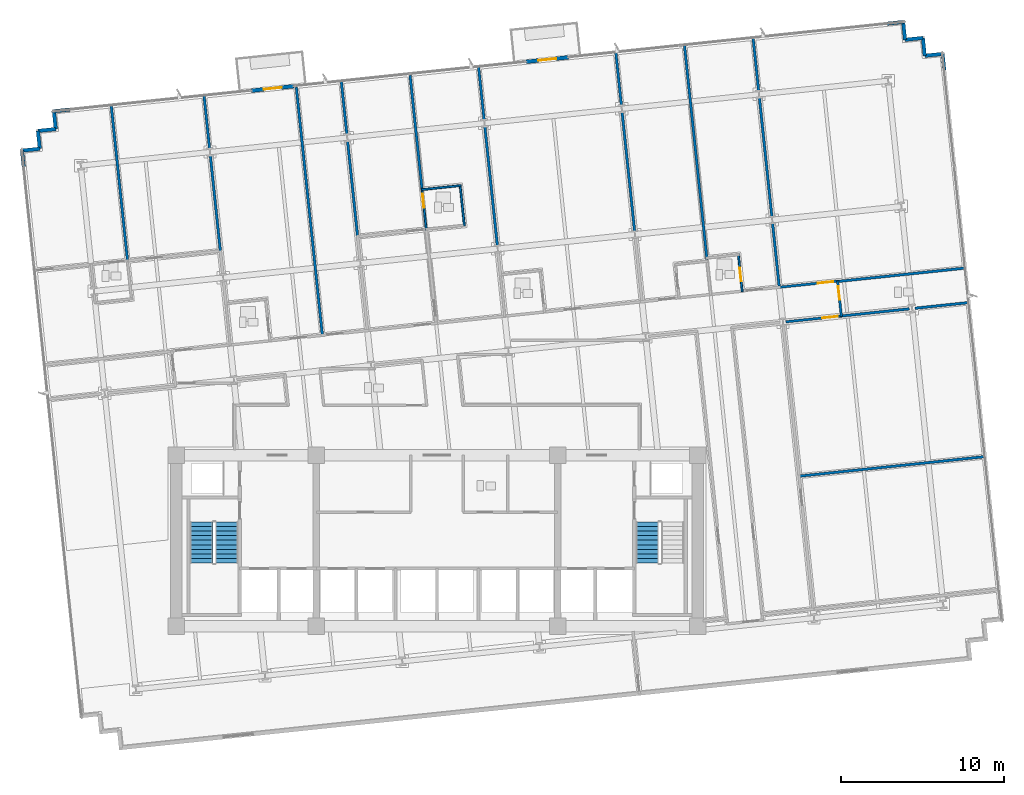
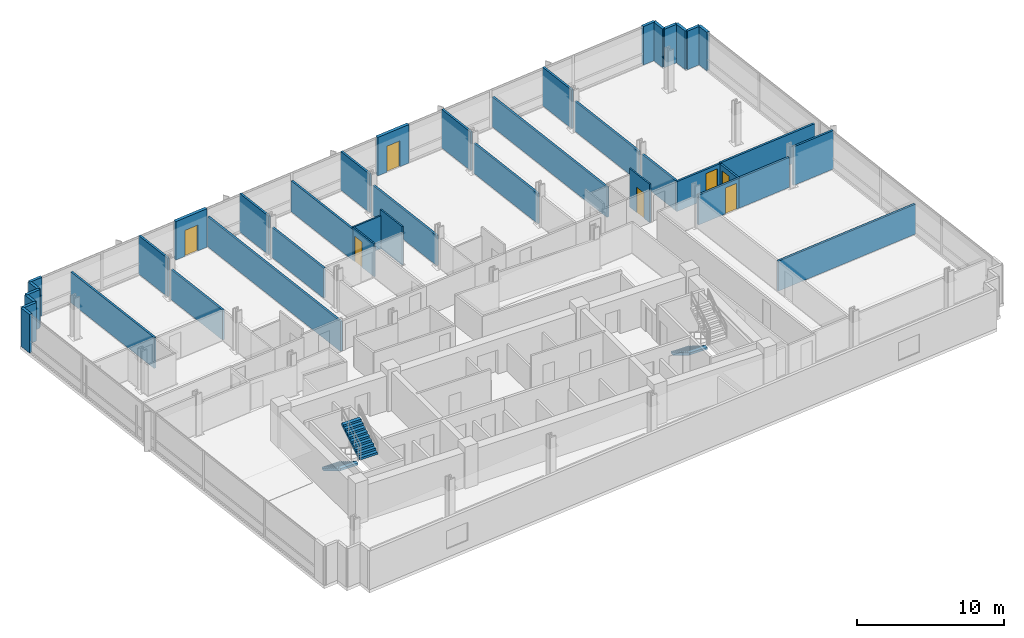
# One storey, part 13 of 19: 40 walls, 7 doors, 3 stair flights, 7 openings, 2 elements without a shape of their own.
"""IFC4 building model written with IfcOpenShell, lengths in metres."""

from ifc_helpers import new_model, si_unit, direction, frame, frame_2d, origin, place, context, subcontext, project, spatial, polyline, rectangle, outline, extrude, material, layer, layer_set, type_object, element, fill, aggregate, save


model = new_model("IFC4")

# Units and contexts
model_context = context("Model", 3, precision=1e-05, world=origin(), true_north=direction((0.0, 1.0)))
body_context = subcontext(model_context, "Body", "Model", "MODEL_VIEW")
ifc_project = project(units=[si_unit("LENGTHUNIT", "METRE"), si_unit("AREAUNIT", "SQUARE_METRE"), si_unit("VOLUMEUNIT", "CUBIC_METRE"), si_unit("PLANEANGLEUNIT", "RADIAN"), si_unit("MASSUNIT", "GRAM", prefix="KILO")], contexts=[model_context])

# Site, building, storey
site_placement = place(None, origin())
site = spatial("IfcSite", under=ifc_project, at=site_placement, CompositionType="ELEMENT")
building_placement = place(site_placement, origin())
building = spatial("IfcBuilding", under=site, at=building_placement, Name="Solmavex Isthmus Hotel", CompositionType="ELEMENT")
storey_placement = place(building_placement, frame((0.0, 0.0, 83.550048828125)))
storey = spatial("IfcBuildingStorey", under=building, at=storey_placement, Name="L22", CompositionType="ELEMENT", Elevation=83.550048828125)

# Wall, opening, door
ifc_material_1 = material(Name="Precast Concrete C40/50", Category="concrete")
ifc_layer_1 = layer(ifc_material_1, 0.25)
ifc_layer_set_1 = layer_set([ifc_layer_1], Name="Precast Concrete C40/50")
wall_type_1 = type_object("IfcWallType", Name="EW-TWR-250", PredefinedType="STANDARD", material=ifc_layer_set_1)
wall_1_placement = place(storey_placement, frame((-11.374267578125, 19.859130859375, 0.0), z_axis=(0.0, 0.0, 1.0), x_axis=(0.994524472508, 0.104503940512, 0.0)))
wall_1 = element("IfcWall", 1, at=wall_1_placement, inside=storey, type_object=wall_type_1, Name="Exterior Balcony Door Wall L22-2", PredefinedType="STANDARD", context=body_context, shape_type="SweptSolid", body=[
    extrude(rectangle(XDim=2.60009765625, YDim=0.239990234375, at=frame_2d((1.300048828125, 0.0))), origin(), (0.0, 0.0, 1.0), 3.18994140625),
])
opening_1_placement = place(wall_1_placement, frame((0.75, 0.0, 0.0)))
opening_1 = element("IfcOpeningElement", 2, at=opening_1_placement, cuts=wall_1, Name="Opening ED-02", PredefinedType="OPENING", context=body_context, shape_type="SweptSolid", body=[
    extrude(rectangle(XDim=1.10009765625, YDim=2.14990234375, at=frame_2d((0.550048828125, 1.074951171875))), frame((0.0, 0.1298828125, 0.0), z_axis=(0.0, -1.0, 0.0), x_axis=(1.0, 0.0, 0.0)), (0.0, 0.0, 1.0), 0.260009765625),
])
ifc_material_2 = material(Name="Aluminium alloy 6063-T6", Category="aluminium")
door_type_1 = type_object("IfcDoorType", Name="EDR-BALC-1100", OperationType="NOTDEFINED", PredefinedType="DOOR", material=ifc_material_2)
door_1_placement = place(opening_1_placement, origin())
door_1 = element("IfcDoor", 3, at=door_1_placement, inside=storey, type_object=door_type_1, Name="Balcony & Terrace Glazed Door L22-2", OperationType="SINGLE_SWING_RIGHT", OverallHeight=2.14990234375, OverallWidth=1.10009765625, PredefinedType="DOOR", context=body_context, shape_type="SweptSolid", body=[
    extrude(rectangle(XDim=1.10009765625, YDim=2.14990234375, at=frame_2d((0.550048828125, 1.074951171875))), frame((0.0, 0.02490234375, 0.0), z_axis=(0.0, -1.0, 0.0), x_axis=(1.0, 0.0, 0.0)), (0.0, 0.0, 1.0), 0.050048828125),
])
fill(opening_1, door_1)

wall_2_placement = place(storey_placement, frame((5.465087890625, 21.629150390625, 0.0), z_axis=(0.0, 0.0, 1.0), x_axis=(0.994523446942, 0.104513699976, 0.0)))
wall_2 = element("IfcWall", 4, at=wall_2_placement, inside=storey, type_object=wall_type_1, Name="Exterior Balcony Door Wall L22-3", PredefinedType="STANDARD", context=body_context, shape_type="SweptSolid", body=[
    extrude(rectangle(XDim=2.599853515625, YDim=0.239990234375, at=frame_2d((1.2998046875, 0.0))), origin(), (0.0, 0.0, 1.0), 3.18994140625),
])
opening_2_placement = place(wall_2_placement, frame((0.75, 0.0, 0.0)))
opening_2 = element("IfcOpeningElement", 5, at=opening_2_placement, cuts=wall_2, Name="Opening ED-02", PredefinedType="OPENING", context=body_context, shape_type="SweptSolid", body=[
    extrude(rectangle(XDim=1.10009765625, YDim=2.14990234375, at=frame_2d((0.550048828125, 1.074951171875))), frame((0.0, 0.1298828125, 0.0), z_axis=(0.0, -1.0, 0.0), x_axis=(1.0, 0.0, 0.0)), (0.0, 0.0, 1.0), 0.260009765625),
])
door_2_placement = place(opening_2_placement, origin())
door_2 = element("IfcDoor", 6, at=door_2_placement, inside=storey, type_object=door_type_1, Name="Balcony & Terrace Glazed Door L22-3", OperationType="SINGLE_SWING_LEFT", OverallHeight=2.14990234375, OverallWidth=1.10009765625, PredefinedType="DOOR", context=body_context, shape_type="SweptSolid", body=[
    extrude(rectangle(XDim=1.10009765625, YDim=2.14990234375, at=frame_2d((0.550048828125, 1.074951171875))), frame((0.0, 0.02490234375, 0.0), z_axis=(0.0, -1.0, 0.0), x_axis=(1.0, 0.0, 0.0)), (0.0, 0.0, 1.0), 0.050048828125),
])
fill(opening_2, door_2)

# Walls
wall_3_placement = place(storey_placement, frame((-25.35400390625, 15.1923828125, 0.0), z_axis=(0.0, 0.0, 1.0), x_axis=(-0.104556418955, 0.99451895671, 0.0)))
element("IfcWall", 7, at=wall_3_placement, inside=storey, type_object=wall_type_1, Name="Serrated Corner Facade Panel L22-07", PredefinedType="STANDARD", context=body_context, shape_type="SweptSolid", body=[
    extrude(rectangle(XDim=0.989990234375, YDim=0.219970703125, at=frame_2d((0.4951171875, 0.0))), origin(), (0.0, 0.0, 1.0), 3.18994140625),
])
wall_4_placement = place(storey_placement, frame((-25.45751953125, 16.177001953125, 0.0), z_axis=(0.0, 0.0, 1.0), x_axis=(0.994521251134, 0.104534592565, 0.0)))
element("IfcWall", 8, at=wall_4_placement, inside=storey, type_object=wall_type_1, Name="Serrated Corner Facade Panel L22-08", PredefinedType="STANDARD", context=body_context, shape_type="SweptSolid", body=[
    extrude(rectangle(XDim=1.10009765625, YDim=0.219970703125, at=frame_2d((0.550048828125, 0.0))), origin(), (0.0, 0.0, 1.0), 3.18994140625),
])
wall_5_placement = place(storey_placement, frame((-24.363525390625, 16.2919921875, 0.0), z_axis=(0.0, 0.0, 1.0), x_axis=(-0.104557671117, 0.994518825066, 0.0)))
element("IfcWall", 9, at=wall_5_placement, inside=storey, type_object=wall_type_1, Name="Serrated Corner Facade Panel L22-09", PredefinedType="STANDARD", context=body_context, shape_type="SweptSolid", body=[
    extrude(rectangle(XDim=1.099853515625, YDim=0.219970703125, at=frame_2d((0.5498046875, 0.0))), origin(), (0.0, 0.0, 1.0), 3.18994140625),
])
for number, where, z_axis, x_axis, name in (
    (10, (-24.478515625, 17.3857421875, 0.0), (0.0, 0.0, 1.0), (0.994521251134, 0.104534592565, 0.0), "Serrated Corner Facade Panel L22-10"),
    (11, (-23.384521484375, 17.500732421875, 0.0), (0.0, 0.0, 1.0), (-0.104534592565, 0.994521251134, 0.0), "Serrated Corner Facade Panel L22-11"),
):
    element("IfcWall", number, at=place(storey_placement, frame(where, z_axis=z_axis, x_axis=x_axis)), inside=storey, type_object=wall_type_1, Name=name, PredefinedType="STANDARD", context=body_context, shape_type="SweptSolid", body=[
        extrude(rectangle(XDim=1.10009765625, YDim=0.219970703125, at=frame_2d((0.550048828125, 0.0))), origin(), (0.0, 0.0, 1.0), 3.18994140625),
    ])
wall_6_placement = place(storey_placement, frame((-23.49951171875, 18.5947265625, 0.0), z_axis=(0.0, 0.0, 1.0), x_axis=(0.99451895671, 0.104556418955, 0.0)))
element("IfcWall", 12, at=wall_6_placement, inside=storey, type_object=wall_type_1, Name="Serrated Corner Facade Panel L22-12", PredefinedType="STANDARD", context=body_context, shape_type="SweptSolid", body=[
    extrude(rectangle(XDim=0.989990234375, YDim=0.219970703125, at=frame_2d((0.4951171875, 0.0))), origin(), (0.0, 0.0, 1.0), 3.18994140625),
])
wall_7_placement = place(storey_placement, frame((27.609130859375, 23.966552734375, 0.0), z_axis=(0.0, 0.0, 1.0), x_axis=(0.994516259927, 0.104582067016, 0.0)))
element("IfcWall", 13, at=wall_7_placement, inside=storey, type_object=wall_type_1, Name="Serrated Corner Facade Panel L22-14", PredefinedType="STANDARD", context=body_context, shape_type="SweptSolid", body=[
    extrude(rectangle(XDim=0.98974609375, YDim=0.219970703125, at=frame_2d((0.494873046875, 0.0))), origin(), (0.0, 0.0, 1.0), 3.18994140625),
])
for number, where, z_axis, x_axis, name in (
    (14, (28.593505859375, 24.070068359375, 0.0), (0.0, 0.0, 1.0), (0.104534592565, -0.994521251134, 0.0), "Serrated Corner Facade Panel L22-15"),
    (15, (28.70849609375, 22.97607421875, 0.0), (0.0, 0.0, 1.0), (0.994521251134, 0.104534592565, 0.0), "Serrated Corner Facade Panel L22-16"),
    (16, (29.802490234375, 23.091064453125, 0.0), (0.0, 0.0, 1.0), (0.104534592565, -0.994521251134, 0.0), "Serrated Corner Facade Panel L22-17"),
    (17, (29.91748046875, 21.9970703125, 0.0), (0.0, 0.0, 1.0), (0.994521251134, 0.104534592565, 0.0), "Serrated Corner Facade Panel L22-18"),
):
    element("IfcWall", number, at=place(storey_placement, frame(where, z_axis=z_axis, x_axis=x_axis)), inside=storey, type_object=wall_type_1, Name=name, PredefinedType="STANDARD", context=body_context, shape_type="SweptSolid", body=[
        extrude(rectangle(XDim=1.10009765625, YDim=0.219970703125, at=frame_2d((0.550048828125, 0.0))), origin(), (0.0, 0.0, 1.0), 3.18994140625),
    ])
wall_8_placement = place(storey_placement, frame((31.011474609375, 22.112060546875, 0.0), z_axis=(0.0, 0.0, 1.0), x_axis=(0.104556418955, -0.99451895671, 0.0)))
element("IfcWall", 18, at=wall_8_placement, inside=storey, type_object=wall_type_1, Name="Serrated Corner Facade Panel L22-19", PredefinedType="STANDARD", context=body_context, shape_type="SweptSolid", body=[
    extrude(rectangle(XDim=0.989990234375, YDim=0.219970703125, at=frame_2d((0.4951171875, 0.0))), origin(), (0.0, 0.0, 1.0), 3.18994140625),
])
ifc_material_3 = material(Name="Gypsum plasterboard lining", Category="gypsum")
ifc_layer_2 = layer(ifc_material_3, 0.159912109375)
ifc_layer_set_2 = layer_set([ifc_layer_2], Name="Gypsum plasterboard lining")
wall_type_2 = type_object("IfcWallType", Name="IW-COMP-160", PredefinedType="PARTITIONING", material=ifc_layer_set_2)
wall_9_placement = place(storey_placement, frame((-19.988037109375, 18.994140625, 0.0), z_axis=(0.0, 0.0, 1.0), x_axis=(0.104533521725, -0.99452136369, 0.0)))
element("IfcWall", 19, at=wall_9_placement, inside=storey, type_object=wall_type_2, Name="Interior Partition Wall W-L22-P047", PredefinedType="PARTITIONING", context=body_context, shape_type="SweptSolid", body=[
    extrude(rectangle(XDim=9.662109375, YDim=0.159912109375, at=frame_2d((4.8310546875, 0.0))), origin(), (0.0, 0.0, 1.0), 2.55322265625),
])
wall_10_placement = place(storey_placement, frame((-14.29541015625, 19.59228515625, 0.0), z_axis=(0.0, 0.0, 1.0), x_axis=(0.10455555946, -0.99451904707, 0.0)))
element("IfcWall", 20, at=wall_10_placement, inside=storey, type_object=wall_type_2, Name="Interior Partition Wall W-L22-P049", PredefinedType="PARTITIONING", context=body_context, shape_type="SweptSolid", body=[
    extrude(rectangle(XDim=3.34375, YDim=0.159912109375, at=frame_2d((1.671875, 0.0))), origin(), (0.0, 0.0, 1.0), 3.18994140625),
])
wall_11_placement = place(storey_placement, frame((-13.908935546875, 15.91650390625, 0.0), z_axis=(0.0, 0.0, 1.0), x_axis=(0.10451862243, -0.994522929633, 0.0)))
element("IfcWall", 21, at=wall_11_placement, inside=storey, type_object=wall_type_2, Name="Interior Partition Wall W-L22-P050", PredefinedType="PARTITIONING", context=body_context, shape_type="SweptSolid", body=[
    extrude(rectangle(XDim=5.9658203125, YDim=0.159912109375, at=frame_2d((2.98291015625, 0.0))), origin(), (0.0, 0.0, 1.0), 2.4794921875),
])
wall_12_placement = place(storey_placement, frame((-8.630859375, 20.067138671875, 0.0), z_axis=(0.0, 0.0, 1.0), x_axis=(0.10453068975, -0.994521661353, 0.0)))
element("IfcWall", 22, at=wall_12_placement, inside=storey, type_object=wall_type_2, Name="Interior Partition Wall W-L22-P053", PredefinedType="PARTITIONING", context=body_context, shape_type="SweptSolid", body=[
    extrude(rectangle(XDim=15.340087890625, YDim=0.159912109375, at=frame_2d((7.669921875, 0.0))), origin(), (0.0, 0.0, 1.0), 2.4794921875),
])
wall_13_placement = place(storey_placement, frame((-5.875732421875, 20.477294921875, 0.0), z_axis=(0.0, 0.0, 1.0), x_axis=(0.10455555946, -0.99451904707, 0.0)))
element("IfcWall", 23, at=wall_13_placement, inside=storey, type_object=wall_type_2, Name="Interior Partition Wall W-L22-P056", PredefinedType="PARTITIONING", context=body_context, shape_type="SweptSolid", body=[
    extrude(rectangle(XDim=3.34375, YDim=0.159912109375, at=frame_2d((1.671875, 0.0))), origin(), (0.0, 0.0, 1.0), 3.18994140625),
])
wall_14_placement = place(storey_placement, frame((-5.4892578125, 16.80126953125, 0.0), z_axis=(0.0, 0.0, 1.0), x_axis=(0.104519783483, -0.994522807612, 0.0)))
element("IfcWall", 24, at=wall_14_placement, inside=storey, type_object=wall_type_2, Name="Interior Partition Wall W-L22-P057", PredefinedType="PARTITIONING", context=body_context, shape_type="SweptSolid", body=[
    extrude(rectangle(XDim=6.0078125, YDim=0.159912109375, at=frame_2d((3.00390625, 0.0))), origin(), (0.0, 0.0, 1.0), 2.4794921875),
])
wall_15_placement = place(storey_placement, frame((-1.6533203125, 20.800537109375, 0.0), z_axis=(0.0, 0.0, 1.0), x_axis=(0.104513767091, -0.994523439889, 0.0)))
element("IfcWall", 25, at=wall_15_placement, inside=storey, type_object=wall_type_2, Name="Interior Partition Wall W-L22-P060", PredefinedType="PARTITIONING", context=body_context, shape_type="SweptSolid", body=[
    extrude(rectangle(XDim=7.134033203125, YDim=0.159912109375, at=frame_2d((3.56689453125, 0.0))), origin(), (0.0, 0.0, 1.0), 2.55322265625),
])
wall_16_placement = place(storey_placement, frame((2.5439453125, 21.3623046875, 0.0), z_axis=(0.0, 0.0, 1.0), x_axis=(0.10455555946, -0.99451904707, 0.0)))
element("IfcWall", 26, at=wall_16_placement, inside=storey, type_object=wall_type_2, Name="Interior Partition Wall W-L22-P065", PredefinedType="PARTITIONING", context=body_context, shape_type="SweptSolid", body=[
    extrude(rectangle(XDim=3.34375, YDim=0.159912109375, at=frame_2d((1.671875, 0.0))), origin(), (0.0, 0.0, 1.0), 3.18994140625),
])
wall_17_placement = place(storey_placement, frame((2.93017578125, 17.686279296875, 0.0), z_axis=(0.0, 0.0, 1.0), x_axis=(0.104555973927, -0.994519003497, 0.0)))
element("IfcWall", 27, at=wall_17_placement, inside=storey, type_object=wall_type_2, Name="Interior Partition Wall W-L22-P066", PredefinedType="PARTITIONING", context=body_context, shape_type="SweptSolid", body=[
    extrude(rectangle(XDim=7.399658203125, YDim=0.159912109375, at=frame_2d((3.69970703125, 0.0))), origin(), (0.0, 0.0, 1.0), 2.4794921875),
])
wall_18_placement = place(storey_placement, frame((10.963623046875, 22.2470703125, 0.0), z_axis=(0.0, 0.0, 1.0), x_axis=(0.10448334315, -0.994526636649, 0.0)))
element("IfcWall", 28, at=wall_18_placement, inside=storey, type_object=wall_type_2, Name="Interior Partition Wall W-L22-P071", PredefinedType="PARTITIONING", context=body_context, shape_type="SweptSolid", body=[
    extrude(rectangle(XDim=3.34375, YDim=0.159912109375, at=frame_2d((1.671875, 0.0))), origin(), (0.0, 0.0, 1.0), 3.18994140625),
])
wall_19_placement = place(storey_placement, frame((11.349853515625, 18.5712890625, 0.0), z_axis=(0.0, 0.0, 1.0), x_axis=(0.104523341075, -0.994522433719, 0.0)))
element("IfcWall", 29, at=wall_19_placement, inside=storey, type_object=wall_type_2, Name="Interior Partition Wall W-L22-P072", PredefinedType="PARTITIONING", context=body_context, shape_type="SweptSolid", body=[
    extrude(rectangle(XDim=7.399658203125, YDim=0.159912109375, at=frame_2d((3.69970703125, 0.0))), origin(), (0.0, 0.0, 1.0), 2.4794921875),
])
wall_20_placement = place(storey_placement, frame((15.17333984375, 22.689697265625, 0.0), z_axis=(0.0, 0.0, 1.0), x_axis=(0.104531343509, -0.994521592639, 0.0)))
element("IfcWall", 30, at=wall_20_placement, inside=storey, type_object=wall_type_2, Name="Interior Partition Wall W-L22-P076", PredefinedType="PARTITIONING", context=body_context, shape_type="SweptSolid", body=[
    extrude(rectangle(XDim=13.251953125, YDim=0.159912109375, at=frame_2d((6.6259765625, 0.0))), origin(), (0.0, 0.0, 1.0), 2.4794921875),
])
wall_21_placement = place(storey_placement, frame((19.383056640625, 23.132080078125, 0.0), z_axis=(0.0, 0.0, 1.0), x_axis=(0.10455555946, -0.99451904707, 0.0)))
element("IfcWall", 31, at=wall_21_placement, inside=storey, type_object=wall_type_2, Name="Interior Partition Wall W-L22-P080", PredefinedType="PARTITIONING", context=body_context, shape_type="SweptSolid", body=[
    extrude(rectangle(XDim=3.34375, YDim=0.159912109375, at=frame_2d((1.671875, 0.0))), origin(), (0.0, 0.0, 1.0), 3.18994140625),
])
wall_22_placement = place(storey_placement, frame((19.76953125, 19.456298828125, 0.0), z_axis=(0.0, 0.0, 1.0), x_axis=(0.104523341075, -0.994522433719, 0.0)))
element("IfcWall", 32, at=wall_22_placement, inside=storey, type_object=wall_type_2, Name="Interior Partition Wall W-L22-P081", PredefinedType="PARTITIONING", context=body_context, shape_type="SweptSolid", body=[
    extrude(rectangle(XDim=7.399658203125, YDim=0.159912109375, at=frame_2d((3.69970703125, 0.0))), origin(), (0.0, 0.0, 1.0), 2.4794921875),
])
wall_23_placement = place(storey_placement, frame((20.579833984375, 11.74658203125, 0.0), z_axis=(0.0, 0.0, 1.0), x_axis=(0.104551732594, -0.994519449388, 0.0)))
element("IfcWall", 33, at=wall_23_placement, inside=storey, type_object=wall_type_2, Name="Interior Partition Wall W-L22-P082", PredefinedType="PARTITIONING", context=body_context, shape_type="SweptSolid", body=[
    extrude(rectangle(XDim=4.01171875, YDim=0.159912109375, at=frame_2d((2.005859375, 0.0))), origin(), (0.0, 0.0, 1.0), 2.4794921875),
])
wall_24_placement = place(storey_placement, frame((32.422119140625, 8.9775390625, 0.0), z_axis=(0.0, 0.0, 1.0), x_axis=(-0.994522987852, -0.104518068455, 0.0)))
element("IfcWall", 34, at=wall_24_placement, inside=storey, type_object=wall_type_2, Name="Interior Partition Wall W-L22-P083", PredefinedType="PARTITIONING", context=body_context, shape_type="SweptSolid", body=[
    extrude(rectangle(XDim=7.927978515625, YDim=0.159912109375, at=frame_2d((3.9638671875, 0.0))), origin(), (0.0, 0.0, 1.0), 2.55322265625),
])
wall_25_placement = place(storey_placement, frame((28.96875, 6.472900390625, 0.0), z_axis=(0.0, 0.0, 1.0), x_axis=(-0.994520616656, -0.104540628691, 0.0)))
element("IfcWall", 35, at=wall_25_placement, inside=storey, type_object=wall_type_2, Name="Interior Partition Wall W-L22-P084", PredefinedType="PARTITIONING", context=body_context, shape_type="SweptSolid", body=[
    extrude(rectangle(XDim=4.231689453125, YDim=0.159912109375, at=frame_2d((2.11572265625, 0.0))), origin(), (0.0, 0.0, 1.0), 2.4794921875),
])
wall_26_placement = place(storey_placement, frame((32.644775390625, 6.859130859375, 0.0), z_axis=(0.0, 0.0, 1.0), x_axis=(-0.994526636649, -0.10448334315, 0.0)))
element("IfcWall", 36, at=wall_26_placement, inside=storey, type_object=wall_type_2, Name="Interior Partition Wall W-L22-P085", PredefinedType="PARTITIONING", context=body_context, shape_type="SweptSolid", body=[
    extrude(rectangle(XDim=3.34375, YDim=0.159912109375, at=frame_2d((1.671875, 0.0))), origin(), (0.0, 0.0, 1.0), 3.18994140625),
])
wall_27_placement = place(storey_placement, frame((22.173095703125, -3.793701171875, 0.0), z_axis=(0.0, 0.0, 1.0), x_axis=(0.994523425118, 0.104513907644, 0.0)))
element("IfcWall", 37, at=wall_27_placement, inside=storey, type_object=wall_type_2, Name="Interior Partition Wall W-L22-P094", PredefinedType="PARTITIONING", context=body_context, shape_type="SweptSolid", body=[
    extrude(rectangle(XDim=11.528076171875, YDim=0.159912109375, at=frame_2d((5.76416015625, 0.0))), origin(), (0.0, 0.0, 1.0), 2.4794921875),
])

# Wall, opening, door
ifc_layer_3 = layer(ifc_material_3, 0.14990234375)
ifc_layer_set_3 = layer_set([ifc_layer_3], Name="Gypsum plasterboard lining")
wall_type_3 = type_object("IfcWallType", Name="IW-CORR-150", PredefinedType="PARTITIONING", material=ifc_layer_set_3)
wall_28_placement = place(storey_placement, frame((20.913330078125, 7.7880859375, 0.0), z_axis=(0.0, 0.0, 1.0), x_axis=(0.994525920558, 0.104490159046, 0.0)))
wall_28 = element("IfcWall", 38, at=wall_28_placement, inside=storey, type_object=wall_type_3, Name="Interior Partition Wall W-L22-P013", PredefinedType="PARTITIONING", context=body_context, shape_type="SweptSolid", body=[
    extrude(rectangle(XDim=3.721923828125, YDim=0.14990234375, at=frame_2d((1.86083984375, 0.0))), origin(), (0.0, 0.0, 1.0), 2.4794921875),
])
opening_3_placement = place(wall_28_placement, frame((2.456787109375, 0.0, 0.0)))
opening_3 = element("IfcOpeningElement", 39, at=opening_3_placement, cuts=wall_28, Name="Opening ID-C095", PredefinedType="OPENING", context=body_context, shape_type="SweptSolid", body=[
    extrude(rectangle(XDim=0.949951171875, YDim=2.14990234375, at=frame_2d((0.47509765625, 1.074951171875))), frame((0.0, 0.0849609375, 0.0), z_axis=(0.0, -1.0, 0.0), x_axis=(1.0, 0.0, 0.0)), (0.0, 0.0, 1.0), 0.169921875),
])
ifc_material_4 = material(Name="Hardwood timber", Category="wood")
door_type_2 = type_object("IfcDoorType", Name="IDR-FD60-0950", OperationType="NOTDEFINED", PredefinedType="DOOR", material=ifc_material_4)
door_3_placement = place(opening_3_placement, origin())
door_3 = element("IfcDoor", 40, at=door_3_placement, inside=storey, type_object=door_type_2, Name="Corporate Briefing Office Door L22-18", OperationType="SINGLE_SWING_RIGHT", OverallHeight=2.14990234375, OverallWidth=0.949951171875, PredefinedType="DOOR", context=body_context, shape_type="SweptSolid", body=[
    extrude(rectangle(XDim=0.949951171875, YDim=2.14990234375, at=frame_2d((0.47509765625, 1.074951171875))), frame((0.0, 0.02490234375, 0.0), z_axis=(0.0, -1.0, 0.0), x_axis=(1.0, 0.0, 0.0)), (0.0, 0.0, 1.0), 0.050048828125),
])
fill(opening_3, door_3)

wall_29_placement = place(storey_placement, frame((24.5732421875, 8.19287109375, 0.0), z_axis=(0.0, 0.0, 1.0), x_axis=(0.104500773718, -0.994524805267, 0.0)))
wall_29 = element("IfcWall", 41, at=wall_29_placement, inside=storey, type_object=wall_type_3, Name="Interior Partition Wall W-L22-P019", PredefinedType="PARTITIONING", context=body_context, shape_type="SweptSolid", body=[
    extrude(rectangle(XDim=2.210205078125, YDim=0.14990234375, at=frame_2d((1.10498046875, 0.0))), origin(), (0.0, 0.0, 1.0), 2.4794921875),
])
opening_4_placement = place(wall_29_placement, frame((0.322265625, 0.0, 0.0)))
opening_4 = element("IfcOpeningElement", 42, at=opening_4_placement, cuts=wall_29, Name="Opening ID-R085", PredefinedType="OPENING", context=body_context, shape_type="SweptSolid", body=[
    extrude(rectangle(XDim=0.85009765625, YDim=2.050048828125, at=frame_2d((0.425048828125, 1.02490234375))), frame((0.0, 0.0849609375, 0.0), z_axis=(0.0, -1.0, 0.0), x_axis=(1.0, 0.0, 0.0)), (0.0, 0.0, 1.0), 0.169921875),
])
ifc_material_5 = material(Name="Steel ASTM A500 Grade C", Category="steel")
door_type_3 = type_object("IfcDoorType", Name="IDR-FD60-0850", OperationType="NOTDEFINED", PredefinedType="DOOR", material=ifc_material_5)
door_4_placement = place(opening_4_placement, origin())
door_4 = element("IfcDoor", 43, at=door_4_placement, inside=storey, type_object=door_type_3, Name="Public Restroom WC Door L22-20", OperationType="SINGLE_SWING_RIGHT", OverallHeight=2.050048828125, OverallWidth=0.85009765625, PredefinedType="DOOR", context=body_context, shape_type="SweptSolid", body=[
    extrude(rectangle(XDim=0.85009765625, YDim=2.050048828125, at=frame_2d((0.425048828125, 1.02490234375))), frame((0.0, 0.02490234375, 0.0), z_axis=(0.0, -1.0, 0.0), x_axis=(1.0, 0.0, 0.0)), (0.0, 0.0, 1.0), 0.050048828125),
])
fill(opening_4, door_4)

wall_30_placement = place(storey_placement, frame((24.83984375, 6.038818359375, 0.0), z_axis=(0.0, 0.0, 1.0), x_axis=(-0.994522047476, -0.104527016046, 0.0)))
wall_30 = element("IfcWall", 44, at=wall_30_placement, inside=storey, type_object=wall_type_3, Name="Interior Partition Wall W-L22-P036", PredefinedType="PARTITIONING", context=body_context, shape_type="SweptSolid", body=[
    extrude(rectangle(XDim=3.4638671875, YDim=0.14990234375, at=frame_2d((1.73193359375, 0.0))), origin(), (0.0, 0.0, 1.0), 2.4794921875),
])
opening_5_placement = place(wall_30_placement, frame((0.26220703125, 0.0, 0.0)))
opening_5 = element("IfcOpeningElement", 45, at=opening_5_placement, cuts=wall_30, Name="Opening ID-C095", PredefinedType="OPENING", context=body_context, shape_type="SweptSolid", body=[
    extrude(rectangle(XDim=0.949951171875, YDim=2.14990234375, at=frame_2d((0.47509765625, 1.074951171875))), frame((0.0, 0.0849609375, 0.0), z_axis=(0.0, -1.0, 0.0), x_axis=(1.0, 0.0, 0.0)), (0.0, 0.0, 1.0), 0.169921875),
])
door_5_placement = place(opening_5_placement, frame((0.949951171875, 0.0, 0.0), z_axis=(0.0, 0.0, 1.0), x_axis=(-1.0, 0.0, 0.0)))
door_5 = element("IfcDoor", 46, at=door_5_placement, inside=storey, type_object=door_type_2, Name="Reading Library Door L22-27", OperationType="SINGLE_SWING_LEFT", OverallHeight=2.14990234375, OverallWidth=0.949951171875, PredefinedType="DOOR", context=body_context, shape_type="SweptSolid", body=[
    extrude(rectangle(XDim=0.949951171875, YDim=2.14990234375, at=frame_2d((0.47509765625, 1.074951171875))), frame((0.0, 0.02490234375, 0.0), z_axis=(0.0, -1.0, 0.0), x_axis=(1.0, 0.0, 0.0)), (0.0, 0.0, 1.0), 0.050048828125),
])
fill(opening_5, door_5)

ifc_layer_4 = layer(ifc_material_3, 0.1201171875)
ifc_layer_set_4 = layer_set([ifc_layer_4], Name="Gypsum plasterboard lining")
wall_type_4 = type_object("IfcWallType", Name="IW-PART-120", PredefinedType="PARTITIONING", material=ifc_layer_set_4)
wall_31_placement = place(storey_placement, frame((-0.9248046875, 13.86865234375, 0.0), z_axis=(0.0, 0.0, 1.0), x_axis=(0.104511838358, -0.994523642576, 0.0)))
wall_31 = element("IfcWall", 47, at=wall_31_placement, inside=storey, type_object=wall_type_4, Name="Interior Partition Wall W-L22-P061", PredefinedType="PARTITIONING", context=body_context, shape_type="SweptSolid", body=[
    extrude(rectangle(XDim=2.572021484375, YDim=0.1201171875, at=frame_2d((1.2861328125, 0.0))), origin(), (0.0, 0.0, 1.0), 2.718017578125),
])
opening_6_placement = place(wall_31_placement, frame((0.337646484375, 0.0, 0.0)))
opening_6 = element("IfcOpeningElement", 48, at=opening_6_placement, cuts=wall_31, Name="Opening ID-U085", PredefinedType="OPENING", context=body_context, shape_type="SweptSolid", body=[
    extrude(rectangle(XDim=0.85009765625, YDim=2.10009765625, at=frame_2d((0.425048828125, 1.050048828125))), frame((0.0, 0.070068359375, 0.0), z_axis=(0.0, -1.0, 0.0), x_axis=(1.0, 0.0, 0.0)), (0.0, 0.0, 1.0), 0.14013671875),
])
door_type_4 = type_object("IfcDoorType", Name="IDR-UNR-0850", OperationType="NOTDEFINED", PredefinedType="DOOR", material=ifc_material_4)
door_6_placement = place(opening_6_placement, origin())
door_6 = element("IfcDoor", 49, at=door_6_placement, inside=storey, type_object=door_type_4, Name="En-suite Bathroom Door L22-11", OperationType="SINGLE_SWING_LEFT", OverallHeight=2.10009765625, OverallWidth=0.85009765625, PredefinedType="DOOR", context=body_context, shape_type="SweptSolid", body=[
    extrude(rectangle(XDim=0.85009765625, YDim=2.10009765625, at=frame_2d((0.425048828125, 1.050048828125))), frame((0.0, 0.02490234375, 0.0), z_axis=(0.0, -1.0, 0.0), x_axis=(1.0, 0.0, 0.0)), (0.0, 0.0, 1.0), 0.050048828125),
])
fill(opening_6, door_6)

# Walls
wall_32_placement = place(storey_placement, frame((1.68115234375, 11.556396484375, 0.0), z_axis=(0.0, 0.0, 1.0), x_axis=(-0.104508968707, 0.994523944136, 0.0)))
element("IfcWall", 50, at=wall_32_placement, inside=storey, type_object=wall_type_4, Name="Interior Partition Wall W-L22-P063", PredefinedType="PARTITIONING", context=body_context, shape_type="SweptSolid", body=[
    extrude(rectangle(XDim=2.530029296875, YDim=0.1201171875, at=frame_2d((1.26513671875, 0.0))), origin(), (0.0, 0.0, 1.0), 3.18994140625),
])
wall_33_placement = place(storey_placement, frame((1.460693359375, 14.036865234375, 0.0), z_axis=(0.0, 0.0, 1.0), x_axis=(-0.994526352295, -0.104486049741, 0.0)))
element("IfcWall", 51, at=wall_33_placement, inside=storey, type_object=wall_type_4, Name="Interior Partition Wall W-L22-P064", PredefinedType="PARTITIONING", context=body_context, shape_type="SweptSolid", body=[
    extrude(rectangle(XDim=2.429931640625, YDim=0.1201171875, at=frame_2d((1.21484375, 0.0))), origin(), (0.0, 0.0, 1.0), 2.718017578125),
])

# Wall, opening, door
wall_34_placement = place(storey_placement, frame((18.725830078125, 7.517822265625, 0.0), z_axis=(0.0, 0.0, 1.0), x_axis=(-0.104461165138, 0.994528966385, 0.0)))
wall_34 = element("IfcWall", 52, at=wall_34_placement, inside=storey, type_object=wall_type_4, Name="Interior Partition Wall W-L22-P078", PredefinedType="PARTITIONING", context=body_context, shape_type="SweptSolid", body=[
    extrude(rectangle(XDim=2.330078125, YDim=0.1201171875, at=frame_2d((1.1650390625, 0.0))), origin(), (0.0, 0.0, 1.0), 3.18994140625),
])
opening_7_placement = place(wall_34_placement, frame((0.6455078125, 0.0, 0.0)))
opening_7 = element("IfcOpeningElement", 53, at=opening_7_placement, cuts=wall_34, Name="Opening ID-U085", PredefinedType="OPENING", context=body_context, shape_type="SweptSolid", body=[
    extrude(rectangle(XDim=0.85009765625, YDim=2.10009765625, at=frame_2d((0.425048828125, 1.050048828125))), frame((0.0, 0.070068359375, 0.0), z_axis=(0.0, -1.0, 0.0), x_axis=(1.0, 0.0, 0.0)), (0.0, 0.0, 1.0), 0.14013671875),
])
door_7_placement = place(opening_7_placement, origin())
door_7 = element("IfcDoor", 54, at=door_7_placement, inside=storey, type_object=door_type_4, Name="En-suite Bathroom Door L22-17", OperationType="SINGLE_SWING_LEFT", OverallHeight=2.10009765625, OverallWidth=0.85009765625, PredefinedType="DOOR", context=body_context, shape_type="SweptSolid", body=[
    extrude(rectangle(XDim=0.85009765625, YDim=2.10009765625, at=frame_2d((0.425048828125, 1.050048828125))), frame((0.0, 0.02490234375, 0.0), z_axis=(0.0, -1.0, 0.0), x_axis=(1.0, 0.0, 0.0)), (0.0, 0.0, 1.0), 0.050048828125),
])
fill(opening_7, door_7)

# Stair, stair flights
ifc_material_6 = material(Name="Concrete C40/50", Category="concrete")
stair_type_1 = type_object("IfcStairType", Name="STR-ST-1", PredefinedType="HALF_TURN_STAIR", material=ifc_material_6)
stair_1_placement = place(storey_placement, origin())
stair_1 = element("IfcStair", 55, at=stair_1_placement, inside=storey, type_object=stair_type_1, Name="L22 Protected Exit Stair ST-1", PredefinedType="HALF_TURN_STAIR")
stair_flight_type_1 = type_object("IfcStairFlightType", Name="SFL-ST-1", PredefinedType="STRAIGHT", material=ifc_material_6)
stair_flight_1_placement = place(storey_placement, frame((-14.449951171875, -6.60009765625, 0.0), z_axis=(0.0, 0.0, 1.0), x_axis=(0.0, -1.0, 0.0)))
stair_flight_1 = element("IfcStairFlight", 56, at=stair_flight_1_placement, type_object=stair_flight_type_1, Name="ST-1 flight 1", NumberOfRisers=10, NumberOfTreads=9, PredefinedType="STRAIGHT", RiserHeight=0.1725, TreadLength=0.28, context=body_context, shape_type="SweptSolid", body=[
    extrude(outline(polyline([(0.0, 0.0), (0.0, 0.172607421875), (0.280029296875, 0.172607421875), (0.280029296875, 0.344970703125), (0.56005859375, 0.344970703125), (0.56005859375, 0.517578125), (0.840087890625, 0.517578125), (0.840087890625, 0.68994140625), (1.1201171875, 0.68994140625), (1.1201171875, 0.862548828125), (1.39990234375, 0.862548828125), (1.39990234375, 1.034912109375), (1.679931640625, 1.034912109375), (1.679931640625, 1.20751953125), (1.9599609375, 1.20751953125), (1.9599609375, 1.3798828125), (2.239990234375, 1.3798828125), (2.239990234375, 1.552490234375), (2.52001953125, 1.552490234375), (2.52001953125, 1.72509765625), (2.52001953125, 1.37646484375), (0.285888671875, 0.0), (0.0, 0.0)])), frame((0.0, 0.699951171875, 0.0), z_axis=(0.0, -1.0, 0.0), x_axis=(1.0, 0.0, 0.0)), (0.0, 0.0, 1.0), 1.39990234375),
])
stair_flight_2_placement = place(storey_placement, frame((-12.89990234375, -9.1201171875, 1.724853515625), z_axis=(0.0, 0.0, 1.0), x_axis=(0.0, 1.0, 0.0)))
stair_flight_2 = element("IfcStairFlight", 57, at=stair_flight_2_placement, type_object=stair_flight_type_1, Name="ST-1 flight 2", NumberOfRisers=10, NumberOfTreads=9, PredefinedType="STRAIGHT", RiserHeight=0.1725, TreadLength=0.28, context=body_context, shape_type="SweptSolid", body=[
    extrude(outline(polyline([(0.0, 0.0), (0.0, 0.172607421875), (0.280029296875, 0.172607421875), (0.280029296875, 0.344970703125), (0.56005859375, 0.344970703125), (0.56005859375, 0.517578125), (0.840087890625, 0.517578125), (0.840087890625, 0.68994140625), (1.1201171875, 0.68994140625), (1.1201171875, 0.862548828125), (1.39990234375, 0.862548828125), (1.39990234375, 1.034912109375), (1.679931640625, 1.034912109375), (1.679931640625, 1.20751953125), (1.9599609375, 1.20751953125), (1.9599609375, 1.3798828125), (2.239990234375, 1.3798828125), (2.239990234375, 1.552490234375), (2.52001953125, 1.552490234375), (2.52001953125, 1.72509765625), (2.52001953125, 1.37646484375), (0.285888671875, 0.0), (0.0, 0.0)])), frame((0.0, 0.699951171875, 0.0), z_axis=(0.0, -1.0, 0.0), x_axis=(1.0, 0.0, 0.0)), (0.0, 0.0, 1.0), 1.39990234375),
])
aggregate(stair_1, [stair_flight_1, stair_flight_2])

# Stair, stair flight
stair_type_2 = type_object("IfcStairType", Name="STR-ST-2", PredefinedType="HALF_TURN_STAIR", material=ifc_material_6)
stair_2_placement = place(storey_placement, origin())
stair_2 = element("IfcStair", 58, at=stair_2_placement, inside=storey, type_object=stair_type_2, Name="L22 Protected Exit Stair ST-2", PredefinedType="HALF_TURN_STAIR")
stair_flight_type_2 = type_object("IfcStairFlightType", Name="SFL-ST-2", PredefinedType="STRAIGHT", material=ifc_material_6)
stair_flight_3_placement = place(storey_placement, frame((12.89990234375, -6.60009765625, 0.0), z_axis=(0.0, 0.0, 1.0), x_axis=(0.0, -1.0, 0.0)))
stair_flight_3 = element("IfcStairFlight", 59, at=stair_flight_3_placement, type_object=stair_flight_type_2, Name="ST-2 flight 1", NumberOfRisers=10, NumberOfTreads=9, PredefinedType="STRAIGHT", RiserHeight=0.1725, TreadLength=0.28, context=body_context, shape_type="SweptSolid", body=[
    extrude(outline(polyline([(0.0, 0.0), (0.0, 0.172607421875), (0.280029296875, 0.172607421875), (0.280029296875, 0.344970703125), (0.56005859375, 0.344970703125), (0.56005859375, 0.517578125), (0.840087890625, 0.517578125), (0.840087890625, 0.68994140625), (1.1201171875, 0.68994140625), (1.1201171875, 0.862548828125), (1.39990234375, 0.862548828125), (1.39990234375, 1.034912109375), (1.679931640625, 1.034912109375), (1.679931640625, 1.20751953125), (1.9599609375, 1.20751953125), (1.9599609375, 1.3798828125), (2.239990234375, 1.3798828125), (2.239990234375, 1.552490234375), (2.52001953125, 1.552490234375), (2.52001953125, 1.72509765625), (2.52001953125, 1.37646484375), (0.285888671875, 0.0), (0.0, 0.0)])), frame((0.0, 0.699951171875, 0.0), z_axis=(0.0, -1.0, 0.0), x_axis=(1.0, 0.0, 0.0)), (0.0, 0.0, 1.0), 1.39990234375),
])
aggregate(stair_2, [stair_flight_3])

save(model, "model.ifc")
